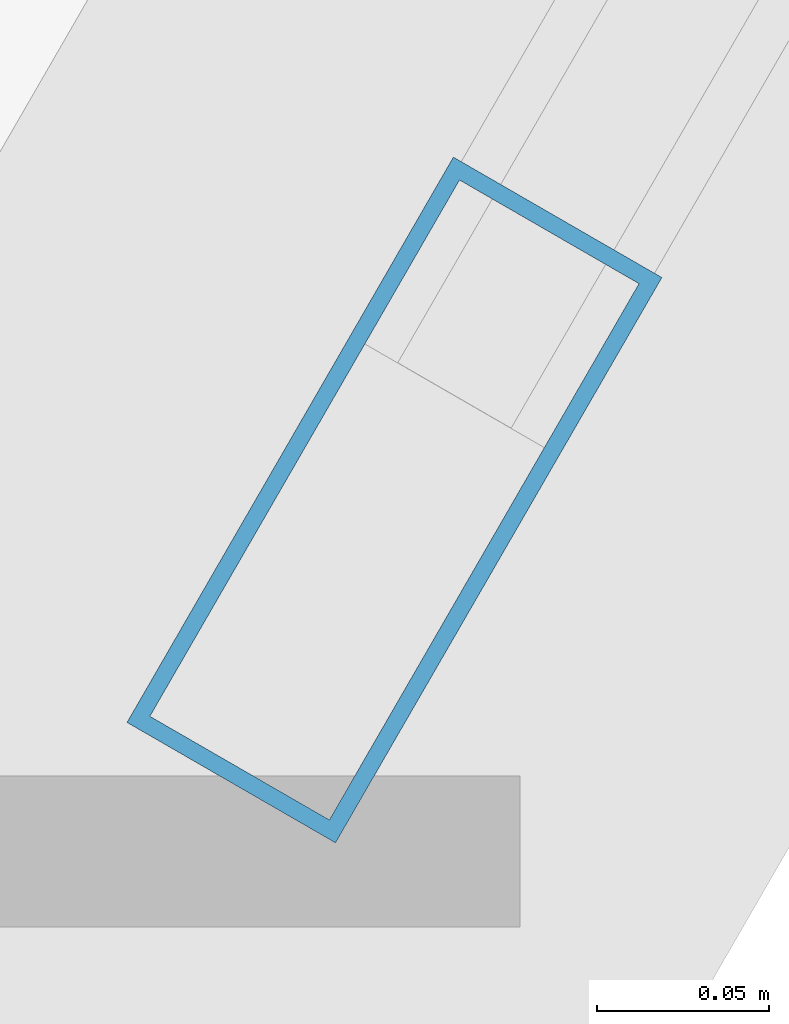
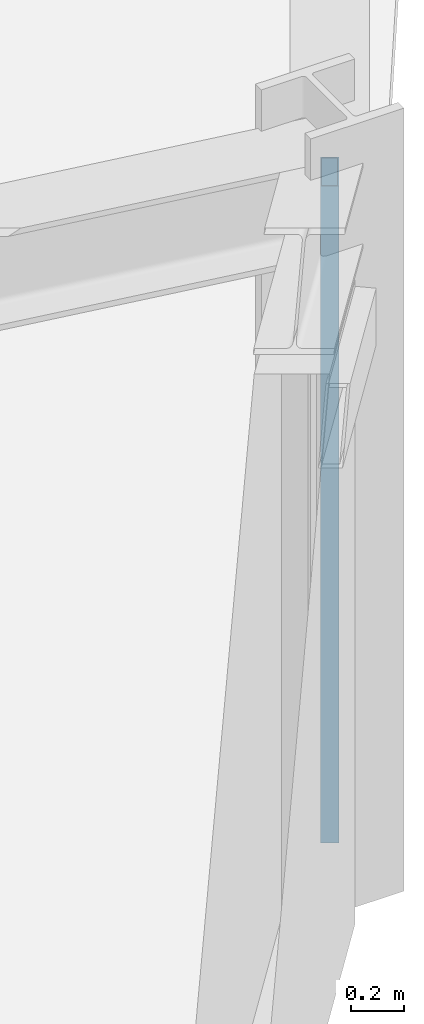
# One storey, part 4 of 16: 1 member, 1 element without a shape of its own.
"""IFC4 building model written with IfcOpenShell, lengths in metres."""

from ifc_helpers import new_model, si_unit, derived_unit, direction, frame, origin, origin_2d, place, context, subcontext, project, spatial, hollow_rectangle, extrude, source, transform, mapped, material, layer, layer_set, material_profile, profile_set, type_object, element, aggregate, save


model = new_model("IFC4")

# Units and contexts
model_context = context("Model", 3, precision=1e-05, world=origin(), true_north=direction((0.0, 1.0)))
body_context = subcontext(model_context, "Body", "Model", "MODEL_VIEW")
ifc_project = project(units=[si_unit("LENGTHUNIT", "METRE"), si_unit("AREAUNIT", "SQUARE_METRE"), si_unit("VOLUMEUNIT", "CUBIC_METRE"), si_unit("PLANEANGLEUNIT", "RADIAN"), si_unit("MASSUNIT", "GRAM", prefix="KILO"), derived_unit("THERMALTRANSMITTANCEUNIT", [(si_unit("POWERUNIT", "WATT"), 1), (si_unit("LENGTHUNIT", "METRE"), -2), (si_unit("THERMODYNAMICTEMPERATUREUNIT", "KELVIN"), -1)])], contexts=[model_context])

# Site, building, storey
site_placement = place(None, origin())
site = spatial("IfcSite", under=ifc_project, at=site_placement, CompositionType="ELEMENT")
building_placement = place(site_placement, origin())
building = spatial("IfcBuilding", under=site, at=building_placement, Name="Korsvarv Bourse and Concert Hall", CompositionType="ELEMENT")
storey_placement = place(building_placement, frame((0.0, 0.0, 220.199951171875)))
storey = spatial("IfcBuildingStorey", under=building, at=storey_placement, Name="L57", CompositionType="ELEMENT", Elevation=220.199951171875)

# Curtain wall, member
ifc_material_1 = material(Name="Anodised aluminium and triple low-E glazing", Category="glass")
ifc_layer = layer(ifc_material_1, 0.199951171875)
ifc_layer_set = layer_set([ifc_layer], Name="Anodised aluminium and triple low-E glazing")
curtain_wall_type = type_object("IfcCurtainWallType", Name="CW-SYS-3", PredefinedType="NOTDEFINED", material=ifc_layer_set)
curtain_wall_placement = place(storey_placement, origin())
curtain_wall = element("IfcCurtainWall", 1, at=curtain_wall_placement, inside=storey, type_object=curtain_wall_type, Name="L57 CW3 curtain wall CW-L57-F11", PredefinedType="NOTDEFINED")
ifc_material_2 = material(Name="Extruded aluminium EN AW-6063 T66", Category="aluminium")
ifc_material_profile = material_profile(ifc_material_2, hollow_rectangle(XDim=0.070068359375, YDim=0.18994140625, WallThickness=0.0048828125, at=origin_2d()), Name="ALU-M 70x190")
ifc_profile_set = profile_set([ifc_material_profile], Name="Extruded aluminium EN AW-6063 T66")
member_type = type_object("IfcMemberType", Name="CWM-190", PredefinedType="MULLION", material=ifc_profile_set)
shared_shape = source(origin(), body_context, "Body", "SweptSolid", [
    extrude(hollow_rectangle(XDim=0.070068359375, YDim=0.18994140625, WallThickness=0.0048828125, at=origin_2d()), origin(), (0.0, 0.0, 1.0), 3.02001953125),
])
member_placement = place(storey_placement, frame((50.68701171875, 23.26416015625, 0.0), z_axis=(0.0, 0.0, 1.0), x_axis=(-0.866029815681, 0.499992358293, 0.0)))
member = element("IfcMember", 2, at=member_placement, type_object=member_type, Name="CW3 mullion 1", PredefinedType="MULLION", context=body_context, shape_type="MappedRepresentation", body=[
    mapped(shared_shape, transform((0.0, 0.0, 0.0), scale=1.0)),
])
aggregate(curtain_wall, [member])

save(model, "model.ifc")
